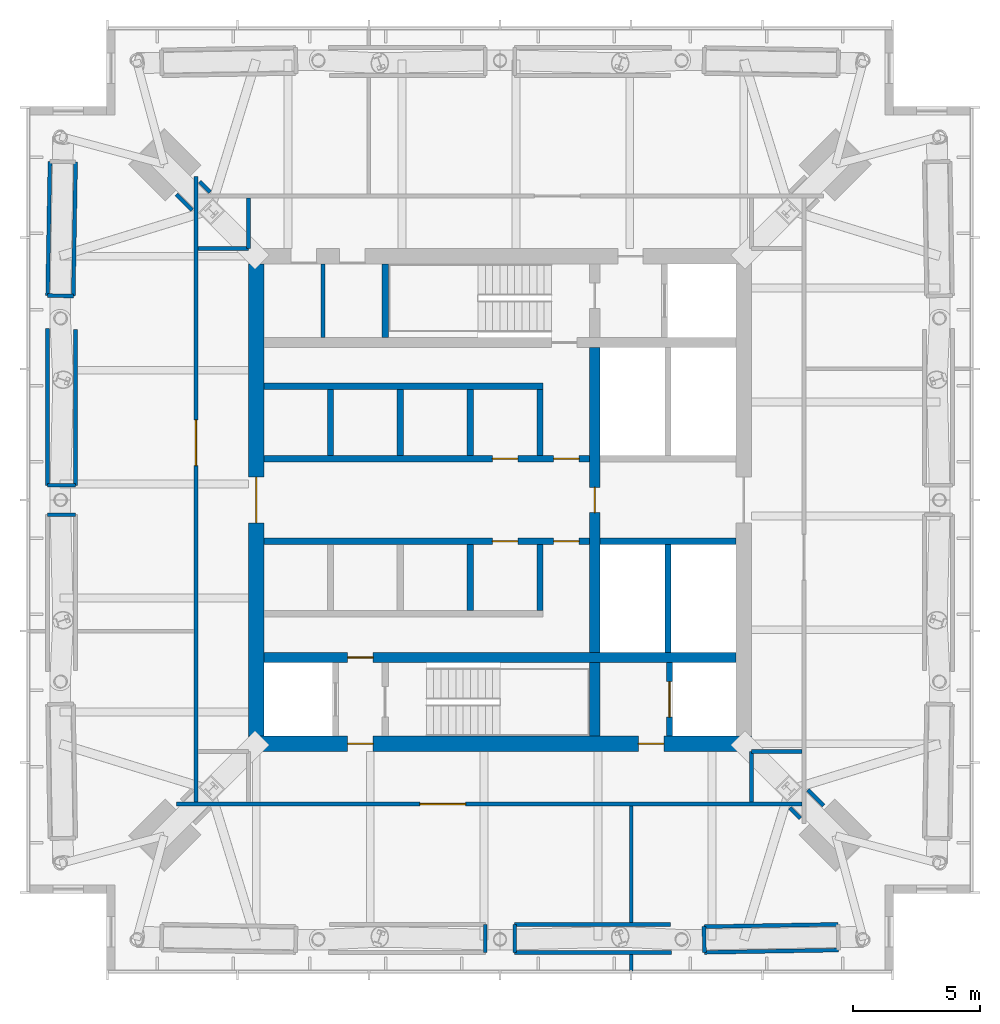
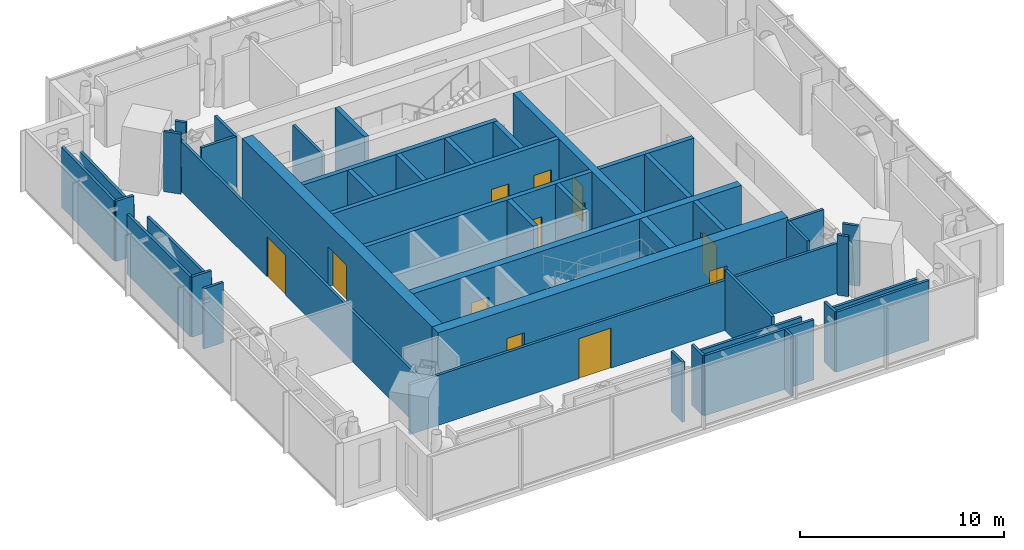
# One storey, part 5 of 8: 45 walls, 12 doors, 12 openings.
"""IFC4 building model written with IfcOpenShell, lengths in metres."""

from ifc_helpers import new_model, si_unit, direction, frame, frame_2d, origin, place, context, subcontext, project, spatial, rectangle, extrude, material, layer, layer_set, type_object, element, fill, save


model = new_model("IFC4")

# Units and contexts
model_context = context("Model", 3, precision=1e-05, world=origin(), true_north=direction((0.0, 1.0)))
body_context = subcontext(model_context, "Body", "Model", "MODEL_VIEW")
ifc_project = project(units=[si_unit("LENGTHUNIT", "METRE"), si_unit("AREAUNIT", "SQUARE_METRE"), si_unit("VOLUMEUNIT", "CUBIC_METRE"), si_unit("PLANEANGLEUNIT", "RADIAN"), si_unit("MASSUNIT", "GRAM", prefix="KILO")], contexts=[model_context])

# Site, building, storey
site_placement = place(None, origin())
site = spatial("IfcSite", under=ifc_project, at=site_placement, CompositionType="ELEMENT")
building_placement = place(site_placement, origin())
building = spatial("IfcBuilding", under=site, at=building_placement, Name="Ostroluk Exchange", CompositionType="ELEMENT")
storey_placement = place(building_placement, frame((0.0, 0.0, 230.0)))
storey = spatial("IfcBuildingStorey", under=building, at=storey_placement, Name="L59", CompositionType="ELEMENT", Elevation=230.0)

# Wall
ifc_material_1 = material(Name="Concrete blockwork", Category="masonry")
ifc_layer_1 = layer(ifc_material_1, 0.14990234375)
ifc_layer_set_1 = layer_set([ifc_layer_1], Name="Blockwork plant room wall 150")
wall_type_1 = type_object("IfcWallType", Name="Blockwork plant room wall 150", PredefinedType="SOLIDWALL", material=ifc_layer_set_1)
wall_1_placement = place(storey_placement, frame((38.02490234375, 52.39990234375, 0.0), z_axis=(0.0, 0.0, 1.0), x_axis=(0.0, 1.0, 0.0)))
element("IfcWall", 1, at=wall_1_placement, inside=storey, type_object=wall_type_1, Name="Core room wall", PredefinedType="SOLIDWALL", context=body_context, shape_type="SweptSolid", body=[
    extrude(rectangle(XDim=2.900146484375, YDim=0.14990234375, at=frame_2d((1.4501953125, 0.0))), origin(), (0.0, 0.0, 1.0), 3.60009765625),
])

# Wall, opening, door
ifc_material_2 = material(Name="Concrete C50/60", Category="concrete")
ifc_layer_2 = layer(ifc_material_2, 0.39990234375)
ifc_layer_set_2 = layer_set([ifc_layer_2], Name="Core cross wall 400 C50/60")
wall_type_2 = type_object("IfcWallType", Name="Core cross wall 400 C50/60", PredefinedType="SHEAR", material=ifc_layer_set_2)
wall_2_placement = place(storey_placement, frame((35.699951171875, 39.800048828125, 0.0), z_axis=(0.0, 0.0, 1.0), x_axis=(1.0, 0.0, 0.0)))
wall_2 = element("IfcWall", 2, at=wall_2_placement, inside=storey, type_object=wall_type_2, Name="T1 core wall XS", PredefinedType="SHEAR", context=body_context, shape_type="SweptSolid", body=[
    extrude(rectangle(XDim=18.60009765625, YDim=0.39990234375, at=frame_2d((9.300048828125, 0.0))), origin(), (0.0, 0.0, 1.0), 3.800048828125),
])
opening_1_placement = place(wall_2_placement, frame((3.300048828125, 0.0, 0.0)))
opening_1 = element("IfcOpeningElement", 3, at=opening_1_placement, cuts=wall_2, Name="Opening FD60", PredefinedType="OPENING", context=body_context, shape_type="SweptSolid", body=[
    extrude(rectangle(XDim=1.0, YDim=2.10009765625, at=frame_2d((0.5, 1.050048828125))), frame((0.0, 0.2099609375, 0.0), z_axis=(0.0, -1.0, 0.0), x_axis=(1.0, 0.0, 0.0)), (0.0, 0.0, 1.0), 0.419921875),
])
ifc_material_3 = material(Name="Steel", Category="steel")
door_type_1 = type_object("IfcDoorType", Name="Fire door EI 60 1000 x 2100", OperationType="SINGLE_SWING_LEFT", PredefinedType="DOOR", material=ifc_material_3)
door_1_placement = place(opening_1_placement, origin())
door_1 = element("IfcDoor", 4, at=door_1_placement, inside=storey, type_object=door_type_1, Name="Core link door", OperationType="SINGLE_SWING_LEFT", OverallHeight=2.10009765625, OverallWidth=1.0, PredefinedType="DOOR", context=body_context, shape_type="SweptSolid", body=[
    extrude(rectangle(XDim=1.0, YDim=2.10009765625, at=frame_2d((0.5, 1.050048828125))), frame((0.0, 0.02490234375, 0.0), z_axis=(0.0, -1.0, 0.0), x_axis=(1.0, 0.0, 0.0)), (0.0, 0.0, 1.0), 0.050048828125),
])
fill(opening_1, door_1)

# Wall
wall_3_placement = place(storey_placement, frame((48.72998046875, 36.699951171875, 0.0), z_axis=(0.0, 0.0, 1.0), x_axis=(0.0, 1.0, 0.0)))
element("IfcWall", 5, at=wall_3_placement, inside=storey, type_object=wall_type_2, Name="T1 core wall YE1", PredefinedType="SHEAR", context=body_context, shape_type="SweptSolid", body=[
    extrude(rectangle(XDim=2.900146484375, YDim=0.39990234375, at=frame_2d((1.4501953125, 0.0))), origin(), (0.0, 0.0, 1.0), 3.800048828125),
])

# Wall, opening, door
wall_4_placement = place(storey_placement, frame((48.72998046875, 40.0, 0.0), z_axis=(0.0, 0.0, 1.0), x_axis=(0.0, 1.0, 0.0)))
wall_4 = element("IfcWall", 6, at=wall_4_placement, inside=storey, type_object=wall_type_2, Name="T1 core wall YE2", PredefinedType="SHEAR", context=body_context, shape_type="SweptSolid", body=[
    extrude(rectangle(XDim=12.0, YDim=0.39990234375, at=frame_2d((6.0, 0.0))), origin(), (0.0, 0.0, 1.0), 3.800048828125),
])
opening_2_placement = place(wall_4_placement, frame((5.5, 0.0, 0.0)))
opening_2 = element("IfcOpeningElement", 7, at=opening_2_placement, cuts=wall_4, Name="Opening FD60", PredefinedType="OPENING", context=body_context, shape_type="SweptSolid", body=[
    extrude(rectangle(XDim=1.0, YDim=2.10009765625, at=frame_2d((0.5, 1.050048828125))), frame((0.0, 0.2099609375, 0.0), z_axis=(0.0, -1.0, 0.0), x_axis=(1.0, 0.0, 0.0)), (0.0, 0.0, 1.0), 0.419921875),
])
door_2_placement = place(opening_2_placement, origin())
door_2 = element("IfcDoor", 8, at=door_2_placement, inside=storey, type_object=door_type_1, Name="Core link door", OperationType="SINGLE_SWING_LEFT", OverallHeight=2.10009765625, OverallWidth=1.0, PredefinedType="DOOR", context=body_context, shape_type="SweptSolid", body=[
    extrude(rectangle(XDim=1.0, YDim=2.10009765625, at=frame_2d((0.5, 1.050048828125))), frame((0.0, 0.02490234375, 0.0), z_axis=(0.0, -1.0, 0.0), x_axis=(1.0, 0.0, 0.0)), (0.0, 0.0, 1.0), 0.050048828125),
])
fill(opening_2, door_2)

ifc_material_4 = material(Name="Concrete C40/50", Category="concrete")
ifc_layer_3 = layer(ifc_material_4, 0.25)
ifc_layer_set_3 = layer_set([ifc_layer_3], Name="Core shaft wall 250")
wall_type_3 = type_object("IfcWallType", Name="Core shaft wall 250", PredefinedType="SHEAR", material=ifc_layer_set_3)
wall_5_placement = place(storey_placement, frame((51.675048828125, 36.699951171875, 0.0), z_axis=(0.0, 0.0, 1.0), x_axis=(0.0, 1.0, 0.0)))
wall_5 = element("IfcWall", 9, at=wall_5_placement, inside=storey, type_object=wall_type_3, Name="Service lift shaft wall", PredefinedType="SHEAR", context=body_context, shape_type="SweptSolid", body=[
    extrude(rectangle(XDim=2.900146484375, YDim=0.25, at=frame_2d((1.4501953125, 0.0))), origin(), (0.0, 0.0, 1.0), 3.800048828125),
])
opening_3_placement = place(wall_5_placement, frame((0.75, 0.0, 0.0)))
opening_3 = element("IfcOpeningElement", 10, at=opening_3_placement, cuts=wall_5, Name="Opening LD3", PredefinedType="OPENING", context=body_context, shape_type="SweptSolid", body=[
    extrude(rectangle(XDim=1.39990234375, YDim=2.39990234375, at=frame_2d((0.699951171875, 1.199951171875))), frame((0.0, 0.135009765625, 0.0), z_axis=(0.0, -1.0, 0.0), x_axis=(1.0, 0.0, 0.0)), (0.0, 0.0, 1.0), 0.27001953125),
])
ifc_material_5 = material(Name="Stainless steel", Category="steel")
door_type_2 = type_object("IfcDoorType", Name="Goods lift landing door E 60 1400 x 2400", OperationType="DOUBLE_DOOR_SLIDING", PredefinedType="DOOR", material=ifc_material_5)
door_3_placement = place(opening_3_placement, origin())
door_3 = element("IfcDoor", 11, at=door_3_placement, inside=storey, type_object=door_type_2, Name="Lift SL1 landing door", OperationType="DOUBLE_DOOR_SLIDING", OverallHeight=2.39990234375, OverallWidth=1.39990234375, PredefinedType="DOOR", context=body_context, shape_type="SweptSolid", body=[
    extrude(rectangle(XDim=1.39990234375, YDim=2.39990234375, at=frame_2d((0.699951171875, 1.199951171875))), frame((0.0, 0.02490234375, 0.0), z_axis=(0.0, -1.0, 0.0), x_axis=(1.0, 0.0, 0.0)), (0.0, 0.0, 1.0), 0.050048828125),
])
fill(opening_3, door_3)

# Walls
wall_6_placement = place(storey_placement, frame((40.47509765625, 52.39990234375, 0.0), z_axis=(0.0, 0.0, 1.0), x_axis=(0.0, 1.0, 0.0)))
element("IfcWall", 12, at=wall_6_placement, inside=storey, type_object=wall_type_3, Name="Stair shaft wall", PredefinedType="SHEAR", context=body_context, shape_type="SweptSolid", body=[
    extrude(rectangle(XDim=2.900146484375, YDim=0.25, at=frame_2d((1.4501953125, 0.0))), origin(), (0.0, 0.0, 1.0), 3.800048828125),
])
for number, where, z_axis, x_axis, name in (
    (13, (38.324951171875, 47.75, 0.0), (0.0, 0.0, 1.0), (0.0, 1.0, 0.0), "Lift shaft wall"),
    (14, (41.074951171875, 47.75, 0.0), (0.0, 0.0, 1.0), (0.0, 1.0, 0.0), "Lift shaft wall"),
    (15, (43.824951171875, 47.75, 0.0), (0.0, 0.0, 1.0), (0.0, 1.0, 0.0), "Lift shaft wall"),
    (16, (46.574951171875, 47.75, 0.0), (0.0, 0.0, 1.0), (0.0, 1.0, 0.0), "Lift shaft wall"),
):
    element("IfcWall", number, at=place(storey_placement, frame(where, z_axis=z_axis, x_axis=x_axis)), inside=storey, type_object=wall_type_3, Name=name, PredefinedType="SHEAR", context=body_context, shape_type="SweptSolid", body=[
        extrude(rectangle(XDim=2.60009765625, YDim=0.25, at=frame_2d((1.300048828125, 0.0))), origin(), (0.0, 0.0, 1.0), 3.800048828125),
    ])
wall_7_placement = place(storey_placement, frame((35.699951171875, 50.47509765625, 0.0), z_axis=(0.0, 0.0, 1.0), x_axis=(1.0, 0.0, 0.0)))
element("IfcWall", 17, at=wall_7_placement, inside=storey, type_object=wall_type_3, Name="Lift shaft wall", PredefinedType="SHEAR", context=body_context, shape_type="SweptSolid", body=[
    extrude(rectangle(XDim=11.0, YDim=0.25, at=frame_2d((5.5, 0.0))), origin(), (0.0, 0.0, 1.0), 3.800048828125),
])

# Wall, openings, doors
wall_8_placement = place(storey_placement, frame((35.699951171875, 47.625, 0.0), z_axis=(0.0, 0.0, 1.0), x_axis=(1.0, 0.0, 0.0)))
wall_8 = element("IfcWall", 18, at=wall_8_placement, inside=storey, type_object=wall_type_3, Name="Lift shaft front wall", PredefinedType="SHEAR", context=body_context, shape_type="SweptSolid", body=[
    extrude(rectangle(XDim=12.830078125, YDim=0.25, at=frame_2d((6.4150390625, 0.0))), origin(), (0.0, 0.0, 1.0), 3.800048828125),
])
opening_4_placement = place(wall_8_placement, frame((9.0, 0.0, 0.0)))
opening_4 = element("IfcOpeningElement", 19, at=opening_4_placement, cuts=wall_8, Name="Opening FD60", PredefinedType="OPENING", context=body_context, shape_type="SweptSolid", body=[
    extrude(rectangle(XDim=1.0, YDim=2.10009765625, at=frame_2d((0.5, 1.050048828125))), frame((0.0, 0.135009765625, 0.0), z_axis=(0.0, -1.0, 0.0), x_axis=(1.0, 0.0, 0.0)), (0.0, 0.0, 1.0), 0.27001953125),
])
opening_5_placement = place(wall_8_placement, frame((11.4150390625, 0.0, 0.0)))
opening_5 = element("IfcOpeningElement", 20, at=opening_5_placement, cuts=wall_8, Name="Opening FD60", PredefinedType="OPENING", context=body_context, shape_type="SweptSolid", body=[
    extrude(rectangle(XDim=1.0, YDim=2.10009765625, at=frame_2d((0.5, 1.050048828125))), frame((0.0, 0.135009765625, 0.0), z_axis=(0.0, -1.0, 0.0), x_axis=(1.0, 0.0, 0.0)), (0.0, 0.0, 1.0), 0.27001953125),
])
door_4_placement = place(opening_4_placement, origin())
door_4 = element("IfcDoor", 21, at=door_4_placement, inside=storey, type_object=door_type_1, Name="Core room door", OperationType="SINGLE_SWING_RIGHT", OverallHeight=2.10009765625, OverallWidth=1.0, PredefinedType="DOOR", context=body_context, shape_type="SweptSolid", body=[
    extrude(rectangle(XDim=1.0, YDim=2.10009765625, at=frame_2d((0.5, 1.050048828125))), frame((0.0, 0.02490234375, 0.0), z_axis=(0.0, -1.0, 0.0), x_axis=(1.0, 0.0, 0.0)), (0.0, 0.0, 1.0), 0.050048828125),
])
fill(opening_4, door_4)
door_5_placement = place(opening_5_placement, origin())
door_5 = element("IfcDoor", 22, at=door_5_placement, inside=storey, type_object=door_type_1, Name="Core link door", OperationType="SINGLE_SWING_RIGHT", OverallHeight=2.10009765625, OverallWidth=1.0, PredefinedType="DOOR", context=body_context, shape_type="SweptSolid", body=[
    extrude(rectangle(XDim=1.0, YDim=2.10009765625, at=frame_2d((0.5, 1.050048828125))), frame((0.0, 0.02490234375, 0.0), z_axis=(0.0, -1.0, 0.0), x_axis=(1.0, 0.0, 0.0)), (0.0, 0.0, 1.0), 0.050048828125),
])
fill(opening_5, door_5)

# Walls
for number, where, z_axis, x_axis, name in (
    (23, (43.824951171875, 44.25, 0.0), (0.0, 0.0, 1.0), (0.0, -1.0, 0.0), "Lift shaft wall"),
    (24, (46.574951171875, 44.25, 0.0), (0.0, 0.0, 1.0), (0.0, -1.0, 0.0), "Lift shaft wall"),
):
    element("IfcWall", number, at=place(storey_placement, frame(where, z_axis=z_axis, x_axis=x_axis)), inside=storey, type_object=wall_type_3, Name=name, PredefinedType="SHEAR", context=body_context, shape_type="SweptSolid", body=[
        extrude(rectangle(XDim=2.60009765625, YDim=0.25, at=frame_2d((1.300048828125, 0.0))), origin(), (0.0, 0.0, 1.0), 3.800048828125),
    ])

# Wall, openings, doors
wall_9_placement = place(storey_placement, frame((35.699951171875, 44.375, 0.0), z_axis=(0.0, 0.0, 1.0), x_axis=(1.0, 0.0, 0.0)))
wall_9 = element("IfcWall", 25, at=wall_9_placement, inside=storey, type_object=wall_type_3, Name="Lift shaft front wall", PredefinedType="SHEAR", context=body_context, shape_type="SweptSolid", body=[
    extrude(rectangle(XDim=12.830078125, YDim=0.25, at=frame_2d((6.4150390625, 0.0))), origin(), (0.0, 0.0, 1.0), 3.800048828125),
])
opening_6_placement = place(wall_9_placement, frame((9.0, 0.0, 0.0)))
opening_6 = element("IfcOpeningElement", 26, at=opening_6_placement, cuts=wall_9, Name="Opening FD60", PredefinedType="OPENING", context=body_context, shape_type="SweptSolid", body=[
    extrude(rectangle(XDim=1.0, YDim=2.10009765625, at=frame_2d((0.5, 1.050048828125))), frame((0.0, 0.135009765625, 0.0), z_axis=(0.0, -1.0, 0.0), x_axis=(1.0, 0.0, 0.0)), (0.0, 0.0, 1.0), 0.27001953125),
])
opening_7_placement = place(wall_9_placement, frame((11.4150390625, 0.0, 0.0)))
opening_7 = element("IfcOpeningElement", 27, at=opening_7_placement, cuts=wall_9, Name="Opening FD60", PredefinedType="OPENING", context=body_context, shape_type="SweptSolid", body=[
    extrude(rectangle(XDim=1.0, YDim=2.10009765625, at=frame_2d((0.5, 1.050048828125))), frame((0.0, 0.135009765625, 0.0), z_axis=(0.0, -1.0, 0.0), x_axis=(1.0, 0.0, 0.0)), (0.0, 0.0, 1.0), 0.27001953125),
])
door_6_placement = place(opening_6_placement, origin())
door_6 = element("IfcDoor", 28, at=door_6_placement, inside=storey, type_object=door_type_1, Name="Core room door", OperationType="SINGLE_SWING_RIGHT", OverallHeight=2.10009765625, OverallWidth=1.0, PredefinedType="DOOR", context=body_context, shape_type="SweptSolid", body=[
    extrude(rectangle(XDim=1.0, YDim=2.10009765625, at=frame_2d((0.5, 1.050048828125))), frame((0.0, 0.02490234375, 0.0), z_axis=(0.0, -1.0, 0.0), x_axis=(1.0, 0.0, 0.0)), (0.0, 0.0, 1.0), 0.050048828125),
])
fill(opening_6, door_6)
door_7_placement = place(opening_7_placement, origin())
door_7 = element("IfcDoor", 29, at=door_7_placement, inside=storey, type_object=door_type_1, Name="Core link door", OperationType="SINGLE_SWING_RIGHT", OverallHeight=2.10009765625, OverallWidth=1.0, PredefinedType="DOOR", context=body_context, shape_type="SweptSolid", body=[
    extrude(rectangle(XDim=1.0, YDim=2.10009765625, at=frame_2d((0.5, 1.050048828125))), frame((0.0, 0.02490234375, 0.0), z_axis=(0.0, -1.0, 0.0), x_axis=(1.0, 0.0, 0.0)), (0.0, 0.0, 1.0), 0.050048828125),
])
fill(opening_7, door_7)

# Walls
wall_10_placement = place(storey_placement, frame((51.614990234375, 44.25, 0.0), z_axis=(0.0, 0.0, 1.0), x_axis=(0.0, -1.0, 0.0)))
element("IfcWall", 30, at=wall_10_placement, inside=storey, type_object=wall_type_3, Name="Lift shaft wall", PredefinedType="SHEAR", context=body_context, shape_type="SweptSolid", body=[
    extrude(rectangle(XDim=4.25, YDim=0.25, at=frame_2d((2.125, 0.0))), origin(), (0.0, 0.0, 1.0), 3.800048828125),
])
wall_11_placement = place(storey_placement, frame((48.929931640625, 44.375, 0.0), z_axis=(0.0, 0.0, 1.0), x_axis=(1.0, 0.0, 0.0)))
element("IfcWall", 31, at=wall_11_placement, inside=storey, type_object=wall_type_3, Name="Lift shaft front wall", PredefinedType="SHEAR", context=body_context, shape_type="SweptSolid", body=[
    extrude(rectangle(XDim=5.3701171875, YDim=0.25, at=frame_2d((2.68505859375, 0.0))), origin(), (0.0, 0.0, 1.0), 3.800048828125),
])

# Wall, openings, doors
ifc_material_6 = material(Name="Concrete C50/60", Category="concrete")
ifc_layer_4 = layer(ifc_material_6, 0.60009765625)
ifc_layer_set_4 = layer_set([ifc_layer_4], Name="Core wall 600 C50/60")
wall_type_4 = type_object("IfcWallType", Name="Core wall 600 C50/60", PredefinedType="SHEAR", material=ifc_layer_set_4)
wall_12_placement = place(storey_placement, frame((35.10009765625, 36.39990234375, 0.0), z_axis=(0.0, 0.0, 1.0), x_axis=(1.0, 0.0, 0.0)))
wall_12 = element("IfcWall", 32, at=wall_12_placement, inside=storey, type_object=wall_type_4, Name="T1 core wall S", PredefinedType="SHEAR", context=body_context, shape_type="SweptSolid", body=[
    extrude(rectangle(XDim=19.7998046875, YDim=0.60009765625, at=frame_2d((9.89990234375, 0.0))), origin(), (0.0, 0.0, 1.0), 3.800048828125),
])
opening_8_placement = place(wall_12_placement, frame((3.89990234375, 0.0, 0.0)))
opening_8 = element("IfcOpeningElement", 33, at=opening_8_placement, cuts=wall_12, Name="Opening FD60", PredefinedType="OPENING", context=body_context, shape_type="SweptSolid", body=[
    extrude(rectangle(XDim=1.0, YDim=2.10009765625, at=frame_2d((0.5, 1.050048828125))), frame((0.0, 0.31005859375, 0.0), z_axis=(0.0, -1.0, 0.0), x_axis=(1.0, 0.0, 0.0)), (0.0, 0.0, 1.0), 0.6201171875),
])
opening_9_placement = place(wall_12_placement, frame((15.35009765625, 0.0, 0.0)))
opening_9 = element("IfcOpeningElement", 34, at=opening_9_placement, cuts=wall_12, Name="Opening FD60", PredefinedType="OPENING", context=body_context, shape_type="SweptSolid", body=[
    extrude(rectangle(XDim=1.0, YDim=2.10009765625, at=frame_2d((0.5, 1.050048828125))), frame((0.0, 0.31005859375, 0.0), z_axis=(0.0, -1.0, 0.0), x_axis=(1.0, 0.0, 0.0)), (0.0, 0.0, 1.0), 0.6201171875),
])
door_8_placement = place(opening_8_placement, origin())
door_8 = element("IfcDoor", 35, at=door_8_placement, inside=storey, type_object=door_type_1, Name="Firefighting lobby door", OperationType="SINGLE_SWING_LEFT", OverallHeight=2.10009765625, OverallWidth=1.0, PredefinedType="DOOR", context=body_context, shape_type="SweptSolid", body=[
    extrude(rectangle(XDim=1.0, YDim=2.10009765625, at=frame_2d((0.5, 1.050048828125))), frame((0.0, 0.02490234375, 0.0), z_axis=(0.0, -1.0, 0.0), x_axis=(1.0, 0.0, 0.0)), (0.0, 0.0, 1.0), 0.050048828125),
])
fill(opening_8, door_8)
door_9_placement = place(opening_9_placement, origin())
door_9 = element("IfcDoor", 36, at=door_9_placement, inside=storey, type_object=door_type_1, Name="Service lobby door", OperationType="SINGLE_SWING_RIGHT", OverallHeight=2.10009765625, OverallWidth=1.0, PredefinedType="DOOR", context=body_context, shape_type="SweptSolid", body=[
    extrude(rectangle(XDim=1.0, YDim=2.10009765625, at=frame_2d((0.5, 1.050048828125))), frame((0.0, 0.02490234375, 0.0), z_axis=(0.0, -1.0, 0.0), x_axis=(1.0, 0.0, 0.0)), (0.0, 0.0, 1.0), 0.050048828125),
])
fill(opening_9, door_9)

# Wall, opening, door
wall_13_placement = place(storey_placement, frame((35.39990234375, 36.699951171875, 0.0), z_axis=(0.0, 0.0, 1.0), x_axis=(0.0, 1.0, 0.0)))
wall_13 = element("IfcWall", 37, at=wall_13_placement, inside=storey, type_object=wall_type_4, Name="T1 core wall W", PredefinedType="SHEAR", context=body_context, shape_type="SweptSolid", body=[
    extrude(rectangle(XDim=18.60009765625, YDim=0.60009765625, at=frame_2d((9.300048828125, 0.0))), origin(), (0.0, 0.0, 1.0), 3.800048828125),
])
opening_10_placement = place(wall_13_placement, frame((8.39990234375, 0.0, 0.0)))
opening_10 = element("IfcOpeningElement", 38, at=opening_10_placement, cuts=wall_13, Name="Opening FD30D", PredefinedType="OPENING", context=body_context, shape_type="SweptSolid", body=[
    extrude(rectangle(XDim=1.800048828125, YDim=2.39990234375, at=frame_2d((0.89990234375, 1.199951171875))), frame((0.0, 0.31005859375, 0.0), z_axis=(0.0, -1.0, 0.0), x_axis=(1.0, 0.0, 0.0)), (0.0, 0.0, 1.0), 0.6201171875),
])
ifc_material_7 = material(Name="Timber", Category="wood")
door_type_3 = type_object("IfcDoorType", Name="Lobby double door EI 30 1800 x 2400", OperationType="DOUBLE_DOOR_SINGLE_SWING", PredefinedType="DOOR", material=ifc_material_7)
door_10_placement = place(opening_10_placement, origin())
door_10 = element("IfcDoor", 39, at=door_10_placement, inside=storey, type_object=door_type_3, Name="Lift lobby doors", OperationType="DOUBLE_DOOR_SINGLE_SWING", OverallHeight=2.39990234375, OverallWidth=1.800048828125, PredefinedType="DOOR", context=body_context, shape_type="SweptSolid", body=[
    extrude(rectangle(XDim=1.800048828125, YDim=2.39990234375, at=frame_2d((0.89990234375, 1.199951171875))), frame((0.0, 0.02490234375, 0.0), z_axis=(0.0, -1.0, 0.0), x_axis=(1.0, 0.0, 0.0)), (0.0, 0.0, 1.0), 0.050048828125),
])
fill(opening_10, door_10)

# Walls
ifc_material_8 = material(Name="Gypsum plasterboard partition", Category="gypsum")
ifc_layer_5 = layer(ifc_material_8, 0.14990234375)
ifc_layer_set_5 = layer_set([ifc_layer_5], Name="Plasterboard partition 150")
wall_type_5 = type_object("IfcWallType", Name="Plasterboard partition 150", PredefinedType="PARTITIONING", material=ifc_layer_set_5)
for number, where, z_axis, x_axis, name in (
    (40, (54.89990234375, 36.10009765625, 0.0), (0.0, 0.0, 1.0), (1.0, 0.0, 0.0), "Partition"),
    (41, (35.10009765625, 55.89990234375, 0.0), (0.0, 0.0, 1.0), (0.0, 1.0, 0.0), "Partition"),
    (42, (35.10009765625, 55.89990234375, 0.0), (0.0, 0.0, 1.0), (-1.0, 0.0, 0.0), "Partition"),
):
    element("IfcWall", number, at=place(storey_placement, frame(where, z_axis=z_axis, x_axis=x_axis)), inside=storey, type_object=wall_type_5, Name=name, PredefinedType="PARTITIONING", context=body_context, shape_type="SweptSolid", body=[
        extrude(rectangle(XDim=2.0, YDim=0.14990234375, at=frame_2d((1.0, 0.0))), origin(), (0.0, 0.0, 1.0), 3.60009765625),
    ])

# Wall, opening, door
wall_14_placement = place(storey_placement, frame((33.02490234375, 58.73583984375, 0.0), z_axis=(0.0, 0.0, 1.0), x_axis=(0.0, -1.0, 0.0)))
wall_14 = element("IfcWall", 43, at=wall_14_placement, inside=storey, type_object=wall_type_5, Name="Partition", PredefinedType="PARTITIONING", context=body_context, shape_type="SweptSolid", body=[
    extrude(rectangle(XDim=24.6357421875, YDim=0.14990234375, at=frame_2d((12.31787109375, 0.0))), origin(), (0.0, 0.0, 1.0), 3.0),
])
opening_11_placement = place(wall_14_placement, frame((9.58154296875, 0.0, 0.0)))
opening_11 = element("IfcOpeningElement", 44, at=opening_11_placement, cuts=wall_14, Name="Opening D-04", PredefinedType="OPENING", context=body_context, shape_type="SweptSolid", body=[
    extrude(rectangle(XDim=1.800048828125, YDim=2.39990234375, at=frame_2d((0.89990234375, 1.199951171875))), frame((0.0, 0.0849609375, 0.0), z_axis=(0.0, -1.0, 0.0), x_axis=(1.0, 0.0, 0.0)), (0.0, 0.0, 1.0), 0.169921875),
])
ifc_material_9 = material(Name="Timber", Category="wood")
door_type_4 = type_object("IfcDoorType", Name="Double door 1800 x 2400", OperationType="DOUBLE_DOOR_SINGLE_SWING", PredefinedType="DOOR", material=ifc_material_9)
door_11_placement = place(opening_11_placement, origin())
door_11 = element("IfcDoor", 45, at=door_11_placement, inside=storey, type_object=door_type_4, Name="Refuge area door", OperationType="DOUBLE_DOOR_SINGLE_SWING", OverallHeight=2.39990234375, OverallWidth=1.800048828125, PredefinedType="DOOR", context=body_context, shape_type="SweptSolid", body=[
    extrude(rectangle(XDim=1.800048828125, YDim=2.39990234375, at=frame_2d((0.89990234375, 1.199951171875))), frame((0.0, 0.02490234375, 0.0), z_axis=(0.0, -1.0, 0.0), x_axis=(1.0, 0.0, 0.0)), (0.0, 0.0, 1.0), 0.050048828125),
])
fill(opening_11, door_11)

# Wall
wall_15_placement = place(storey_placement, frame((54.89990234375, 36.10009765625, 0.0), z_axis=(0.0, 0.0, 1.0), x_axis=(0.0, -1.0, 0.0)))
element("IfcWall", 46, at=wall_15_placement, inside=storey, type_object=wall_type_5, Name="Partition", PredefinedType="PARTITIONING", context=body_context, shape_type="SweptSolid", body=[
    extrude(rectangle(XDim=2.0, YDim=0.14990234375, at=frame_2d((1.0, 0.0))), origin(), (0.0, 0.0, 1.0), 3.60009765625),
])

# Wall, opening, door
wall_16_placement = place(storey_placement, frame((32.26416015625, 34.02490234375, 0.0), z_axis=(0.0, 0.0, 1.0), x_axis=(1.0, 0.0, 0.0)))
wall_16 = element("IfcWall", 47, at=wall_16_placement, inside=storey, type_object=wall_type_5, Name="Partition", PredefinedType="PARTITIONING", context=body_context, shape_type="SweptSolid", body=[
    extrude(rectangle(XDim=24.6357421875, YDim=0.14990234375, at=frame_2d((12.31787109375, 0.0))), origin(), (0.0, 0.0, 1.0), 3.0),
])
opening_12_placement = place(wall_16_placement, frame((9.58154296875, 0.0, 0.0)))
opening_12 = element("IfcOpeningElement", 48, at=opening_12_placement, cuts=wall_16, Name="Opening D-04", PredefinedType="OPENING", context=body_context, shape_type="SweptSolid", body=[
    extrude(rectangle(XDim=1.800048828125, YDim=2.39990234375, at=frame_2d((0.89990234375, 1.199951171875))), frame((0.0, 0.0849609375, 0.0), z_axis=(0.0, -1.0, 0.0), x_axis=(1.0, 0.0, 0.0)), (0.0, 0.0, 1.0), 0.169921875),
])
door_12_placement = place(opening_12_placement, origin())
door_12 = element("IfcDoor", 49, at=door_12_placement, inside=storey, type_object=door_type_4, Name="Refuge area door", OperationType="DOUBLE_DOOR_SINGLE_SWING", OverallHeight=2.39990234375, OverallWidth=1.800048828125, PredefinedType="DOOR", context=body_context, shape_type="SweptSolid", body=[
    extrude(rectangle(XDim=1.800048828125, YDim=2.39990234375, at=frame_2d((0.89990234375, 1.199951171875))), frame((0.0, 0.02490234375, 0.0), z_axis=(0.0, -1.0, 0.0), x_axis=(1.0, 0.0, 0.0)), (0.0, 0.0, 1.0), 0.050048828125),
])
fill(opening_12, door_12)

# Walls
wall_17_placement = place(storey_placement, frame((50.166748046875, 33.949951171875, 0.0), z_axis=(0.0, 0.0, 1.0), x_axis=(0.0, -1.0, 0.0)))
element("IfcWall", 50, at=wall_17_placement, inside=storey, type_object=wall_type_5, Name="Partition", PredefinedType="PARTITIONING", context=body_context, shape_type="SweptSolid", body=[
    extrude(rectangle(XDim=4.583740234375, YDim=0.14990234375, at=frame_2d((2.2919921875, 0.0))), origin(), (0.0, 0.0, 1.0), 3.60009765625),
])
wall_18_placement = place(storey_placement, frame((50.166748046875, 28.11279296875, 0.0), z_axis=(0.0, 0.0, 1.0), x_axis=(0.0, -1.0, 0.0)))
element("IfcWall", 51, at=wall_18_placement, inside=storey, type_object=wall_type_5, Name="Partition", PredefinedType="PARTITIONING", context=body_context, shape_type="SweptSolid", body=[
    extrude(rectangle(XDim=0.65283203125, YDim=0.14990234375, at=frame_2d((0.326416015625, 0.0))), origin(), (0.0, 0.0, 1.0), 3.60009765625),
])
for number, where, z_axis, x_axis, name in (
    (52, (44.42138671875, 29.290771484375, 0.0), (0.0, 0.0, 1.0), (-0.00022128789, -0.999999975516, 0.0), "Partition"),
    (53, (27.1875, 45.421142578125, 0.0), (0.0, 0.0, 1.0), (0.999999975516, 0.00022128789, 0.0), "Partition"),
):
    element("IfcWall", number, at=place(storey_placement, frame(where, z_axis=z_axis, x_axis=x_axis)), inside=storey, type_object=wall_type_5, Name=name, PredefinedType="PARTITIONING", context=body_context, shape_type="SweptSolid", body=[
        extrude(rectangle(XDim=1.103271484375, YDim=0.14990234375, at=frame_2d((0.5517578125, 0.0))), origin(), (0.0, 0.0, 1.0), 3.60009765625),
    ])
wall_19_placement = place(storey_placement, frame((27.1875, 46.578857421875, 0.0), z_axis=(0.0, 0.0, 1.0), x_axis=(7.8973346e-05, 0.999999996882, 0.0)))
element("IfcWall", 54, at=wall_19_placement, inside=storey, type_object=wall_type_5, Name="Partition", PredefinedType="PARTITIONING", context=body_context, shape_type="SweptSolid", body=[
    extrude(rectangle(XDim=6.182861328125, YDim=0.14990234375, at=frame_2d((3.09130859375, 0.0))), origin(), (0.0, 0.0, 1.0), 3.60009765625),
])
wall_20_placement = place(storey_placement, frame((28.291259765625, 52.711669921875, 0.0), z_axis=(0.0, 0.0, 1.0), x_axis=(-7.9614665e-05, -0.999999996831, 0.0)))
element("IfcWall", 55, at=wall_20_placement, inside=storey, type_object=wall_type_5, Name="Partition", PredefinedType="PARTITIONING", context=body_context, shape_type="SweptSolid", body=[
    extrude(rectangle(XDim=6.133056640625, YDim=0.14990234375, at=frame_2d((3.06640625, 0.0))), origin(), (0.0, 0.0, 1.0), 3.10009765625),
])
wall_21_placement = place(storey_placement, frame((28.290771484375, 46.57861328125, 0.0), z_axis=(0.0, 0.0, 1.0), x_axis=(-0.999999975516, 0.00022128789, 0.0)))
element("IfcWall", 56, at=wall_21_placement, inside=storey, type_object=wall_type_5, Name="Partition", PredefinedType="PARTITIONING", context=body_context, shape_type="SweptSolid", body=[
    extrude(rectangle(XDim=1.103271484375, YDim=0.14990234375, at=frame_2d((0.5517578125, 0.0))), origin(), (0.0, 0.0, 1.0), 3.60009765625),
])
wall_22_placement = place(storey_placement, frame((28.291259765625, 59.311279296875, 0.0), z_axis=(0.0, 0.0, 1.0), x_axis=(-0.017246786956, -0.999851263109, 0.0)))
element("IfcWall", 57, at=wall_22_placement, inside=storey, type_object=wall_type_5, Name="Partition", PredefinedType="PARTITIONING", context=body_context, shape_type="SweptSolid", body=[
    extrude(rectangle(XDim=5.280029296875, YDim=0.14990234375, at=frame_2d((2.64013671875, 0.0))), origin(), (0.0, 0.0, 1.0), 3.0),
])
wall_23_placement = place(storey_placement, frame((28.2001953125, 54.031982421875, 0.0), z_axis=(0.0, 0.0, 1.0), x_axis=(-0.999853612343, 0.017110052176, 0.0)))
element("IfcWall", 58, at=wall_23_placement, inside=storey, type_object=wall_type_5, Name="Partition", PredefinedType="PARTITIONING", context=body_context, shape_type="SweptSolid", body=[
    extrude(rectangle(XDim=1.01318359375, YDim=0.14990234375, at=frame_2d((0.506591796875, 0.0))), origin(), (0.0, 0.0, 1.0), 3.60009765625),
])
wall_24_placement = place(storey_placement, frame((27.187255859375, 54.04931640625, 0.0), z_axis=(0.0, 0.0, 1.0), x_axis=(0.017245989654, 0.999851276861, 0.0)))
element("IfcWall", 59, at=wall_24_placement, inside=storey, type_object=wall_type_5, Name="Partition", PredefinedType="PARTITIONING", context=body_context, shape_type="SweptSolid", body=[
    extrude(rectangle(XDim=5.2802734375, YDim=0.14990234375, at=frame_2d((2.64013671875, 0.0))), origin(), (0.0, 0.0, 1.0), 3.60009765625),
])
wall_25_placement = place(storey_placement, frame((33.175048828125, 58.5322265625, 0.0), z_axis=(0.0, 0.0, 1.0), x_axis=(0.706894723387, -0.70731877541, 0.0)))
element("IfcWall", 60, at=wall_25_placement, inside=storey, type_object=wall_type_5, Name="Partition", PredefinedType="PARTITIONING", context=body_context, shape_type="SweptSolid", body=[
    extrude(rectangle(XDim=0.57568359375, YDim=0.14990234375, at=frame_2d((0.287841796875, 0.0))), origin(), (0.0, 0.0, 1.0), 3.60009765625),
])
wall_26_placement = place(storey_placement, frame((32.875, 57.41796875, 0.0), z_axis=(0.0, 0.0, 1.0), x_axis=(-0.707106781187, 0.707106781187, 0.0)))
element("IfcWall", 61, at=wall_26_placement, inside=storey, type_object=wall_type_5, Name="Partition", PredefinedType="PARTITIONING", context=body_context, shape_type="SweptSolid", body=[
    extrude(rectangle(XDim=0.878662109375, YDim=0.14990234375, at=frame_2d((0.439453125, 0.0))), origin(), (0.0, 0.0, 1.0), 3.60009765625),
])
wall_27_placement = place(storey_placement, frame((58.328857421875, 28.2783203125, 0.0), z_axis=(0.0, 0.0, 1.0), x_axis=(-0.999851276861, -0.017245989654, 0.0)))
element("IfcWall", 62, at=wall_27_placement, inside=storey, type_object=wall_type_5, Name="Partition", PredefinedType="PARTITIONING", context=body_context, shape_type="SweptSolid", body=[
    extrude(rectangle(XDim=5.2802734375, YDim=0.14990234375, at=frame_2d((2.64013671875, 0.0))), origin(), (0.0, 0.0, 1.0), 3.60009765625),
])
wall_28_placement = place(storey_placement, frame((53.04931640625, 28.187255859375, 0.0), z_axis=(0.0, 0.0, 1.0), x_axis=(-0.017110052176, 0.999853612343, 0.0)))
element("IfcWall", 63, at=wall_28_placement, inside=storey, type_object=wall_type_5, Name="Partition", PredefinedType="PARTITIONING", context=body_context, shape_type="SweptSolid", body=[
    extrude(rectangle(XDim=1.01318359375, YDim=0.14990234375, at=frame_2d((0.506591796875, 0.0))), origin(), (0.0, 0.0, 1.0), 3.60009765625),
])
wall_29_placement = place(storey_placement, frame((53.031982421875, 29.2001953125, 0.0), z_axis=(0.0, 0.0, 1.0), x_axis=(0.999851263109, 0.017246786956, 0.0)))
element("IfcWall", 64, at=wall_29_placement, inside=storey, type_object=wall_type_5, Name="Partition", PredefinedType="PARTITIONING", context=body_context, shape_type="SweptSolid", body=[
    extrude(rectangle(XDim=5.280029296875, YDim=0.14990234375, at=frame_2d((2.64013671875, 0.0))), origin(), (0.0, 0.0, 1.0), 3.10009765625),
])
wall_30_placement = place(storey_placement, frame((51.76171875, 28.18798828125, 0.0), z_axis=(0.0, 0.0, 1.0), x_axis=(-0.999999996882, -7.8973346e-05, 0.0)))
element("IfcWall", 65, at=wall_30_placement, inside=storey, type_object=wall_type_5, Name="Partition", PredefinedType="PARTITIONING", context=body_context, shape_type="SweptSolid", body=[
    extrude(rectangle(XDim=6.182861328125, YDim=0.14990234375, at=frame_2d((3.09130859375, 0.0))), origin(), (0.0, 0.0, 1.0), 3.60009765625),
])
wall_31_placement = place(storey_placement, frame((45.578857421875, 28.1875, 0.0), z_axis=(0.0, 0.0, 1.0), x_axis=(-0.00022128789, 0.999999975516, 0.0)))
element("IfcWall", 66, at=wall_31_placement, inside=storey, type_object=wall_type_5, Name="Partition", PredefinedType="PARTITIONING", context=body_context, shape_type="SweptSolid", body=[
    extrude(rectangle(XDim=1.103271484375, YDim=0.14990234375, at=frame_2d((0.5517578125, 0.0))), origin(), (0.0, 0.0, 1.0), 3.60009765625),
])
wall_32_placement = place(storey_placement, frame((45.57861328125, 29.290771484375, 0.0), z_axis=(0.0, 0.0, 1.0), x_axis=(0.999999996831, 7.9614665e-05, 0.0)))
element("IfcWall", 67, at=wall_32_placement, inside=storey, type_object=wall_type_5, Name="Partition", PredefinedType="PARTITIONING", context=body_context, shape_type="SweptSolid", body=[
    extrude(rectangle(XDim=6.133056640625, YDim=0.14990234375, at=frame_2d((3.06640625, 0.0))), origin(), (0.0, 0.0, 1.0), 3.10009765625),
])
wall_33_placement = place(storey_placement, frame((56.824951171875, 33.4677734375, 0.0), z_axis=(0.0, 0.0, 1.0), x_axis=(-0.706894723387, 0.70731877541, 0.0)))
element("IfcWall", 68, at=wall_33_placement, inside=storey, type_object=wall_type_5, Name="Partition", PredefinedType="PARTITIONING", context=body_context, shape_type="SweptSolid", body=[
    extrude(rectangle(XDim=0.57568359375, YDim=0.14990234375, at=frame_2d((0.287841796875, 0.0))), origin(), (0.0, 0.0, 1.0), 3.60009765625),
])
wall_34_placement = place(storey_placement, frame((57.125, 34.58203125, 0.0), z_axis=(0.0, 0.0, 1.0), x_axis=(0.707106781187, -0.707106781187, 0.0)))
element("IfcWall", 69, at=wall_34_placement, inside=storey, type_object=wall_type_5, Name="Partition", PredefinedType="PARTITIONING", context=body_context, shape_type="SweptSolid", body=[
    extrude(rectangle(XDim=0.878662109375, YDim=0.14990234375, at=frame_2d((0.439453125, 0.0))), origin(), (0.0, 0.0, 1.0), 3.60009765625),
])

save(model, "model.ifc")
